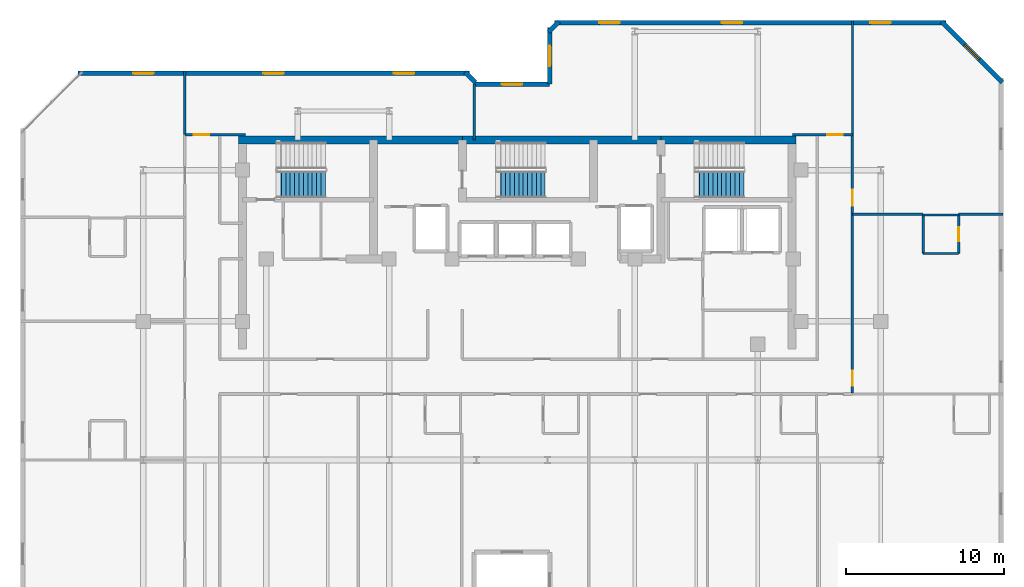
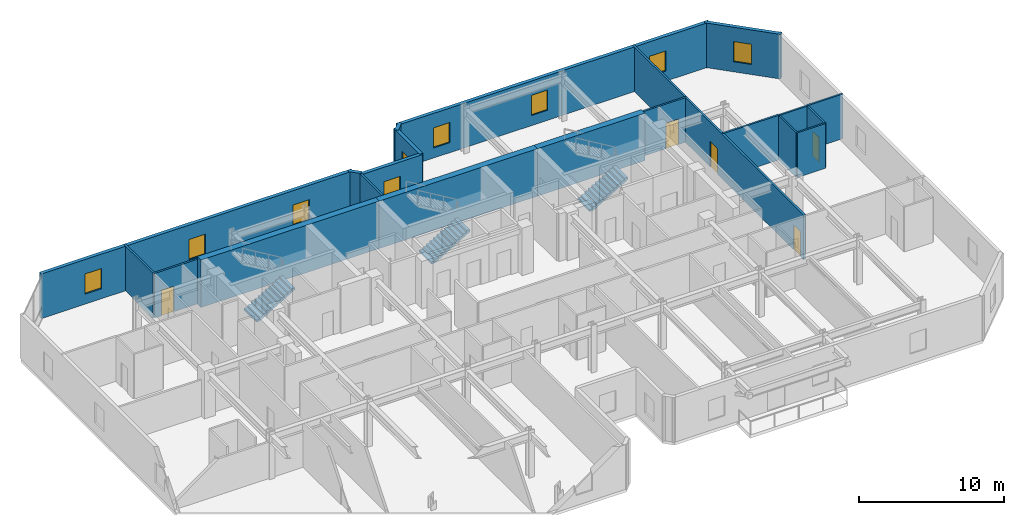
# One storey, part 7 of 11: 22 walls, 9 windows, 5 doors, 3 stair flights, 14 openings, 3 elements without a shape of their own.
"""IFC4 building model written with IfcOpenShell, lengths in metres."""

import ifcopenshell
import ifcopenshell.guid

model = None  # the IFC model being written
_history = None  # IfcOwnerHistory: only IFC2X3 demands one
_inside = {}  # id of a spatial element -> (the spatial element, [elements in it])
_under = {}  # id of a project, library or spatial element -> (it, [spatial elements below it])
_declared = {}  # id of a project -> (the project, [libraries it declares])
_typed = {}  # id of a type object -> (the type object, [elements of that type])
_made_of = {}  # id of a material, layer set ... -> (it, [elements and type objects made of it])


def new_model(schema):
    """Start an empty IFC model of exactly this schema.

    Asked for "IFC4X3", IfcOpenShell would pick the latest addendum, in which some entities
    have other attributes; the version numbers below select the first issue.
    IFC2X3 requires an IfcOwnerHistory on every rooted entity: one is made here for all.
    """
    global model, _history
    if schema == "IFC4X3":
        model = ifcopenshell.file(schema_version=(4, 3, 0, 0))
    else:
        model = ifcopenshell.file(schema=schema)
    _inside.clear()
    _under.clear()
    _declared.clear()
    _typed.clear()
    _made_of.clear()
    _history = None
    if model.schema == "IFC2X3":
        org = make("IfcOrganization", Name="unknown")
        user = make(
            "IfcPersonAndOrganization",
            ThePerson=make("IfcPerson", FamilyName="unknown"),
            TheOrganization=org,
        )
        app = make(
            "IfcApplication",
            ApplicationDeveloper=org,
            Version="unknown",
            ApplicationFullName="unknown",
            ApplicationIdentifier="unknown",
        )
        _history = make(
            "IfcOwnerHistory",
            OwningUser=user,
            OwningApplication=app,
            ChangeAction="ADDED",
            CreationDate=0,
        )
    return model


def make(cls, **values):
    """One entity of the class cls with the attributes given. An attribute that is None is left unset."""
    return model.create_entity(
        cls, **{name: value for name, value in values.items() if value is not None}
    )


def rooted(cls, **values):
    """An entity with a GlobalId (a new one), such as an element, a storey or a relation."""
    return make(cls, GlobalId=ifcopenshell.guid.new(), OwnerHistory=_history, **values)


def si_unit(unit_type, name, prefix=None):
    """IfcSIUnit, for example si_unit("LENGTHUNIT", "METRE", prefix="MILLI")."""
    return make("IfcSIUnit", UnitType=unit_type, Prefix=prefix, Name=name)


def assignment(units):
    """IfcUnitAssignment: the units of a project."""
    return None if units is None else make("IfcUnitAssignment", Units=units)


def point(xyz):
    """IfcCartesianPoint."""
    return None if xyz is None else make("IfcCartesianPoint", Coordinates=xyz)


def direction(xyz):
    """IfcDirection."""
    return None if xyz is None else make("IfcDirection", DirectionRatios=xyz)


def frame(location, z_axis=None, x_axis=None):
    """IfcAxis2Placement3D, a coordinate frame: its origin and axes. An axis left out is left unset."""
    return make(
        "IfcAxis2Placement3D",
        Location=point(location),
        Axis=direction(z_axis),
        RefDirection=direction(x_axis),
    )


def frame_2d(location, x_axis=None):
    """IfcAxis2Placement2D, a coordinate frame in the plane: its origin and x axis."""
    return make(
        "IfcAxis2Placement2D", Location=point(location), RefDirection=direction(x_axis)
    )


def origin():
    """The frame at (0, 0, 0) with its axes left unset."""
    return frame((0.0, 0.0, 0.0))


def place(relative_to, where):
    """IfcLocalPlacement: puts the frame where relative to a parent placement (None: the world)."""
    return make(
        "IfcLocalPlacement", PlacementRelTo=relative_to, RelativePlacement=where
    )


def context(
    kind, dimensions, precision=None, world=None, true_north=None, identifier=None
):
    """IfcGeometricRepresentationContext, for example the 3D "Model" context."""
    return make(
        "IfcGeometricRepresentationContext",
        ContextIdentifier=identifier,
        ContextType=kind,
        CoordinateSpaceDimension=dimensions,
        Precision=precision,
        WorldCoordinateSystem=world,
        TrueNorth=true_north,
    )


def subcontext(parent, identifier, kind, view, scale=None):
    """IfcGeometricRepresentationSubContext, for example "Body" below "Model"."""
    return make(
        "IfcGeometricRepresentationSubContext",
        ContextIdentifier=identifier,
        ContextType=kind,
        ParentContext=parent,
        TargetScale=scale,
        TargetView=view,
    )


def project(units=None, contexts=None):
    """IfcProject with its units and contexts."""
    return rooted(
        "IfcProject",
        Name="project",
        RepresentationContexts=contexts,
        UnitsInContext=assignment(units),
    )


def spatial(cls, under=None, at=None, **own):
    """A site, building, storey or space (cls), placed at a placement, below another one or the project."""
    s = rooted(cls, ObjectPlacement=at, **own)
    if under is not None:
        _under.setdefault(under.id(), (under, []))[1].append(s)
    return s


def polyline(points):
    """IfcPolyline through the points."""
    return make("IfcPolyline", Points=[point(p) for p in points])


def profile(cls, at=None, kind="AREA", **sizes):
    """A parametric profile (cls). Its sizes go by their IFC names, for example OverallWidth=200.0."""
    return make(cls, ProfileType=kind, Position=at, **sizes)


def rectangle(**sizes):
    """IfcRectangleProfileDef."""
    return profile("IfcRectangleProfileDef", **sizes)


def outline(outer, holes=None, kind="AREA"):
    """IfcArbitraryClosedProfileDef: a profile drawn as a closed curve; with holes, ...WithVoids."""
    if holes is None:
        return make("IfcArbitraryClosedProfileDef", ProfileType=kind, OuterCurve=outer)
    return make(
        "IfcArbitraryProfileDefWithVoids",
        ProfileType=kind,
        OuterCurve=outer,
        InnerCurves=holes,
    )


def extrude(swept, where, along, depth):
    """IfcExtrudedAreaSolid: the profile swept, set in the frame where, extruded along a direction by depth."""
    return make(
        "IfcExtrudedAreaSolid",
        SweptArea=swept,
        Position=where,
        ExtrudedDirection=direction(along),
        Depth=depth,
    )


def shape(context_of_items, identifier, shape_type, items):
    """IfcShapeRepresentation: the items that make up one representation, for example the "Body"."""
    return make(
        "IfcShapeRepresentation",
        ContextOfItems=context_of_items,
        RepresentationIdentifier=identifier,
        RepresentationType=shape_type,
        Items=items,
    )


def material(Name=None, Category=None):
    """IfcMaterial."""
    return make("IfcMaterial", Name=Name, Category=Category)


def layer(
    of_material, thickness, ventilated=None, Name=None, Category=None, Priority=None
):
    """IfcMaterialLayer: one layer of a wall or slab, of a material (None: an air gap)."""
    return make(
        "IfcMaterialLayer",
        Material=of_material,
        LayerThickness=thickness,
        IsVentilated=ventilated,
        Name=Name,
        Category=Category,
        Priority=Priority,
    )


def layer_set(layers, Name=None):
    """IfcMaterialLayerSet."""
    return make("IfcMaterialLayerSet", MaterialLayers=layers, LayerSetName=Name)


def made_of(thing, what):
    """Note that an element or type object is made of a material, layer set ...; save() writes the relation."""
    if what is not None:
        _made_of.setdefault(what.id(), (what, []))[1].append(thing)
    return thing


def type_object(cls, material=None, **own):
    """A type object (cls), such as IfcWallType, which elements share."""
    return made_of(rooted(cls, **own), material)


def element(
    cls,
    number,
    at=None,
    inside=None,
    cuts=None,
    type_object=None,
    material=None,
    context=None,
    identifier="Body",
    shape_type=None,
    held_by="IfcProductDefinitionShape",
    body=None,
    shapes=None,
    **own,
):
    """One element of the class cls, such as IfcWall. Its Tag is "e" and its number.

    at: its placement. inside: the storey or other place that contains it. cuts: it is an
    opening in that element (IfcRelVoidsElement). A single representation is given by context,
    identifier, shape_type and body (its items); several are given by shapes. held_by: the class
    of the entity that holds the representations. save() writes the other relations.
    """
    e = rooted(cls, Tag="e%d" % number, ObjectPlacement=at, **own)
    if body is not None:
        shapes = [shape(context, identifier, shape_type, body)]
    if shapes is not None:
        e.Representation = make(held_by, Representations=shapes)
    if inside is not None:
        _inside.setdefault(inside.id(), (inside, []))[1].append(e)
    if cuts is not None:
        rooted(
            "IfcRelVoidsElement", RelatingBuildingElement=cuts, RelatedOpeningElement=e
        )
    if type_object is not None:
        _typed.setdefault(type_object.id(), (type_object, []))[1].append(e)
    return made_of(e, material)


def fill(opening, filler):
    """IfcRelFillsElement: the door or window that sits in an opening."""
    return rooted(
        "IfcRelFillsElement",
        RelatingOpeningElement=opening,
        RelatedBuildingElement=filler,
    )


def aggregate(whole, parts):
    """IfcRelAggregates: a whole, such as a stair, and the parts it consists of."""
    return rooted("IfcRelAggregates", RelatingObject=whole, RelatedObjects=parts)


def save(model, path):
    """Write the relations noted so far, then the file.

    IfcRelAggregates (storeys below a building ...), IfcRelContainedInSpatialStructure (elements
    in a storey), IfcRelDefinesByType, IfcRelAssociatesMaterial and IfcRelDeclares: one each for
    every whole, place, type object, material and project.
    """
    for whole, parts in _under.values():
        aggregate(whole, parts)
    for where, things in _inside.values():
        rooted(
            "IfcRelContainedInSpatialStructure",
            RelatedElements=things,
            RelatingStructure=where,
        )
    for kind, things in _typed.values():
        rooted("IfcRelDefinesByType", RelatedObjects=things, RelatingType=kind)
    for what, things in _made_of.values():
        rooted("IfcRelAssociatesMaterial", RelatedObjects=things, RelatingMaterial=what)
    for by, libraries in _declared.values():
        rooted("IfcRelDeclares", RelatingContext=by, RelatedDefinitions=libraries)
    model.write(path)


model = new_model("IFC4")

# Units and contexts
model_context = context("Model", 3, precision=1e-05, world=origin(), true_north=direction((0.0, 1.0)))
body_context = subcontext(model_context, "Body", "Model", "MODEL_VIEW")
ifc_project = project(units=[si_unit("LENGTHUNIT", "METRE"), si_unit("AREAUNIT", "SQUARE_METRE"), si_unit("VOLUMEUNIT", "CUBIC_METRE"), si_unit("PLANEANGLEUNIT", "RADIAN"), si_unit("MASSUNIT", "GRAM", prefix="KILO")], contexts=[model_context])

# Site, building, storey
site_placement = place(None, origin())
site = spatial("IfcSite", under=ifc_project, at=site_placement, CompositionType="ELEMENT")
building_placement = place(site_placement, origin())
building = spatial("IfcBuilding", under=site, at=building_placement, Name="Kestravale Grand Hotel", CompositionType="ELEMENT")
storey_placement = place(building_placement, frame((0.0, 0.0, 265.39990234375)))
storey = spatial("IfcBuildingStorey", under=building, at=storey_placement, Name="L66", CompositionType="ELEMENT", Elevation=265.39990234375)

# Walls
ifc_material_1 = material(Name="Concrete f'c 50 MPa", Category="concrete")
ifc_layer_1 = layer(ifc_material_1, 0.5)
ifc_layer_set_1 = layer_set([ifc_layer_1], Name="EW-CORE-500")
wall_type_1 = type_object("IfcWallType", Name="EW-CORE-500", PredefinedType="SHEAR", material=ifc_layer_set_1)
wall_1_placement = place(storey_placement, frame((21.64990234375, 40.320068359375, 0.0), z_axis=(0.0, 0.0, 1.0), x_axis=(1.0, 0.0, 0.0)))
element("IfcWall", 1, at=wall_1_placement, inside=storey, type_object=wall_type_1, Name="L66 core shear wall N1", PredefinedType="SHEAR", context=body_context, shape_type="SweptSolid", body=[
    extrude(rectangle(XDim=14.2001953125, YDim=0.5, at=frame_2d((7.10009765625, 0.0))), origin(), (0.0, 0.0, 1.0), 4.0),
])
wall_2_placement = place(storey_placement, frame((35.85009765625, 40.320068359375, 0.0), z_axis=(0.0, 0.0, 1.0), x_axis=(1.0, 0.0, 0.0)))
element("IfcWall", 2, at=wall_2_placement, inside=storey, type_object=wall_type_1, Name="L66 core shear wall N2", PredefinedType="SHEAR", context=body_context, shape_type="SweptSolid", body=[
    extrude(rectangle(XDim=12.599853515625, YDim=0.5, at=frame_2d((6.2998046875, 0.0))), origin(), (0.0, 0.0, 1.0), 4.0),
])
wall_3_placement = place(storey_placement, frame((48.449951171875, 40.320068359375, 0.0), z_axis=(0.0, 0.0, 1.0), x_axis=(1.0, 0.0, 0.0)))
element("IfcWall", 3, at=wall_3_placement, inside=storey, type_object=wall_type_1, Name="L66 core shear wall N3", PredefinedType="SHEAR", context=body_context, shape_type="SweptSolid", body=[
    extrude(rectangle(XDim=8.570068359375, YDim=0.5, at=frame_2d((4.28515625, 0.0))), origin(), (0.0, 0.0, 1.0), 4.0),
])

# Wall, opening, window
ifc_material_2 = material(Name="Precast concrete f'c 45 MPa", Category="concrete")
ifc_layer_2 = layer(ifc_material_2, 0.280029296875)
ifc_layer_set_2 = layer_set([ifc_layer_2], Name="EW-PREC-280")
wall_type_2 = type_object("IfcWallType", Name="EW-PREC-280", PredefinedType="SOLIDWALL", material=ifc_layer_set_2)
wall_4_placement = place(storey_placement, frame((70.12939453125, 43.97265625, 0.0), z_axis=(0.0, 0.0, 1.0), x_axis=(-0.707106781187, 0.707106781187, 0.0)))
wall_4 = element("IfcWall", 4, at=wall_4_placement, inside=storey, type_object=wall_type_2, Name="L66 fluted precast facade wall 10", PredefinedType="SOLIDWALL", context=body_context, shape_type="SweptSolid", body=[
    extrude(rectangle(XDim=5.4541015625, YDim=0.280029296875, at=frame_2d((2.72705078125, 0.0))), origin(), (0.0, 0.0, 1.0), 3.760009765625),
])
opening_1_placement = place(wall_4_placement, frame((2.076904296875, 0.0, 0.85009765625)))
opening_1 = element("IfcOpeningElement", 5, at=opening_1_placement, cuts=wall_4, Name="Opening W-GUEST-1300", PredefinedType="OPENING", context=body_context, shape_type="SweptSolid", body=[
    extrude(rectangle(XDim=1.300048828125, YDim=1.699951171875, at=frame_2d((0.64990234375, 0.85009765625))), frame((0.0, 0.14990234375, 0.0), z_axis=(0.0, -1.0, 0.0), x_axis=(1.0, 0.0, 0.0)), (0.0, 0.0, 1.0), 0.300048828125),
])
ifc_material_3 = material(Name="Insulated low-E double glazing in aluminium frame", Category="aluminium")
window_type = type_object("IfcWindowType", Name="W-GUEST-1300", PartitioningType="SINGLE_PANEL", PredefinedType="WINDOW", material=ifc_material_3)
window_1_placement = place(opening_1_placement, origin())
window_1 = element("IfcWindow", 6, at=window_1_placement, inside=storey, type_object=window_type, Name="L66 exterior window 10.1", OverallHeight=1.699951171875, OverallWidth=1.300048828125, PartitioningType="SINGLE_PANEL", PredefinedType="WINDOW", context=body_context, shape_type="SweptSolid", body=[
    extrude(rectangle(XDim=1.300048828125, YDim=1.699951171875, at=frame_2d((0.64990234375, 0.85009765625))), frame((0.0, 0.030029296875, 0.0), z_axis=(0.0, -1.0, 0.0), x_axis=(1.0, 0.0, 0.0)), (0.0, 0.0, 1.0), 0.06005859375),
])
fill(opening_1, window_1)

# Wall, openings, windows
wall_5_placement = place(storey_placement, frame((66.5400390625, 47.760009765625, 0.0), z_axis=(0.0, 0.0, 1.0), x_axis=(-1.0, 0.0, 0.0)))
wall_5 = element("IfcWall", 7, at=wall_5_placement, inside=storey, type_object=wall_type_2, Name="L66 fluted precast facade wall 11", PredefinedType="SOLIDWALL", context=body_context, shape_type="SweptSolid", body=[
    extrude(rectangle(XDim=24.830078125, YDim=0.280029296875, at=frame_2d((12.4150390625, 0.0))), origin(), (0.0, 0.0, 1.0), 3.760009765625),
])
opening_2_placement = place(wall_5_placement, frame((3.48828125, 0.0, 0.85009765625)))
opening_2 = element("IfcOpeningElement", 8, at=opening_2_placement, cuts=wall_5, Name="Opening W-GUEST-1300", PredefinedType="OPENING", context=body_context, shape_type="SweptSolid", body=[
    extrude(rectangle(XDim=1.300048828125, YDim=1.699951171875, at=frame_2d((0.64990234375, 0.85009765625))), frame((0.0, 0.14990234375, 0.0), z_axis=(0.0, -1.0, 0.0), x_axis=(1.0, 0.0, 0.0)), (0.0, 0.0, 1.0), 0.300048828125),
])
opening_3_placement = place(wall_5_placement, frame((12.9150390625, 0.0, 0.85009765625)))
opening_3 = element("IfcOpeningElement", 9, at=opening_3_placement, cuts=wall_5, Name="Opening W-GUEST-1300", PredefinedType="OPENING", context=body_context, shape_type="SweptSolid", body=[
    extrude(rectangle(XDim=1.300048828125, YDim=1.699951171875, at=frame_2d((0.64990234375, 0.85009765625))), frame((0.0, 0.14990234375, 0.0), z_axis=(0.0, -1.0, 0.0), x_axis=(1.0, 0.0, 0.0)), (0.0, 0.0, 1.0), 0.300048828125),
])
opening_4_placement = place(wall_5_placement, frame((20.691650390625, 0.0, 0.85009765625)))
opening_4 = element("IfcOpeningElement", 10, at=opening_4_placement, cuts=wall_5, Name="Opening W-GUEST-1300", PredefinedType="OPENING", context=body_context, shape_type="SweptSolid", body=[
    extrude(rectangle(XDim=1.300048828125, YDim=1.699951171875, at=frame_2d((0.64990234375, 0.85009765625))), frame((0.0, 0.14990234375, 0.0), z_axis=(0.0, -1.0, 0.0), x_axis=(1.0, 0.0, 0.0)), (0.0, 0.0, 1.0), 0.300048828125),
])
window_2_placement = place(opening_2_placement, origin())
window_2 = element("IfcWindow", 11, at=window_2_placement, inside=storey, type_object=window_type, Name="L66 exterior window 11.1", OverallHeight=1.699951171875, OverallWidth=1.300048828125, PartitioningType="SINGLE_PANEL", PredefinedType="WINDOW", context=body_context, shape_type="SweptSolid", body=[
    extrude(rectangle(XDim=1.300048828125, YDim=1.699951171875, at=frame_2d((0.64990234375, 0.85009765625))), frame((0.0, 0.030029296875, 0.0), z_axis=(0.0, -1.0, 0.0), x_axis=(1.0, 0.0, 0.0)), (0.0, 0.0, 1.0), 0.06005859375),
])
fill(opening_2, window_2)
window_3_placement = place(opening_3_placement, origin())
window_3 = element("IfcWindow", 12, at=window_3_placement, inside=storey, type_object=window_type, Name="L66 exterior window 11.2", OverallHeight=1.699951171875, OverallWidth=1.300048828125, PartitioningType="SINGLE_PANEL", PredefinedType="WINDOW", context=body_context, shape_type="SweptSolid", body=[
    extrude(rectangle(XDim=1.300048828125, YDim=1.699951171875, at=frame_2d((0.64990234375, 0.85009765625))), frame((0.0, 0.030029296875, 0.0), z_axis=(0.0, -1.0, 0.0), x_axis=(1.0, 0.0, 0.0)), (0.0, 0.0, 1.0), 0.06005859375),
])
fill(opening_3, window_3)
window_4_placement = place(opening_4_placement, origin())
window_4 = element("IfcWindow", 13, at=window_4_placement, inside=storey, type_object=window_type, Name="L66 exterior window 11.3", OverallHeight=1.699951171875, OverallWidth=1.300048828125, PartitioningType="SINGLE_PANEL", PredefinedType="WINDOW", context=body_context, shape_type="SweptSolid", body=[
    extrude(rectangle(XDim=1.300048828125, YDim=1.699951171875, at=frame_2d((0.64990234375, 0.85009765625))), frame((0.0, 0.030029296875, 0.0), z_axis=(0.0, -1.0, 0.0), x_axis=(1.0, 0.0, 0.0)), (0.0, 0.0, 1.0), 0.06005859375),
])
fill(opening_4, window_4)

# Wall
wall_6_placement = place(storey_placement, frame((41.977294921875, 47.829345703125, 0.0), z_axis=(0.0, 0.0, 1.0), x_axis=(-0.706975312048, -0.707238225886, 0.0)))
element("IfcWall", 14, at=wall_6_placement, inside=storey, type_object=wall_type_2, Name="L66 fluted precast facade wall 12", PredefinedType="SOLIDWALL", context=body_context, shape_type="SweptSolid", body=[
    extrude(rectangle(XDim=0.9287109375, YDim=0.280029296875, at=frame_2d((0.46435546875, 0.0))), origin(), (0.0, 0.0, 1.0), 3.760009765625),
])

# Wall, opening, window
wall_7_placement = place(storey_placement, frame((41.389892578125, 47.43994140625, 0.0), z_axis=(0.0, 0.0, 1.0), x_axis=(0.0, -1.0, 0.0)))
wall_7 = element("IfcWall", 15, at=wall_7_placement, inside=storey, type_object=wall_type_2, Name="L66 fluted precast facade wall 13", PredefinedType="SOLIDWALL", context=body_context, shape_type="SweptSolid", body=[
    extrude(rectangle(XDim=3.579833984375, YDim=0.280029296875, at=frame_2d((1.7900390625, 0.0))), origin(), (0.0, 0.0, 1.0), 3.760009765625),
])
opening_5_placement = place(wall_7_placement, frame((1.139892578125, 0.0, 0.85009765625)))
opening_5 = element("IfcOpeningElement", 16, at=opening_5_placement, cuts=wall_7, Name="Opening W-GUEST-1300", PredefinedType="OPENING", context=body_context, shape_type="SweptSolid", body=[
    extrude(rectangle(XDim=1.300048828125, YDim=1.699951171875, at=frame_2d((0.64990234375, 0.85009765625))), frame((0.0, 0.14990234375, 0.0), z_axis=(0.0, -1.0, 0.0), x_axis=(1.0, 0.0, 0.0)), (0.0, 0.0, 1.0), 0.300048828125),
])
window_5_placement = place(opening_5_placement, origin())
window_5 = element("IfcWindow", 17, at=window_5_placement, inside=storey, type_object=window_type, Name="L66 exterior window 13.1", OverallHeight=1.699951171875, OverallWidth=1.300048828125, PartitioningType="SINGLE_PANEL", PredefinedType="WINDOW", context=body_context, shape_type="SweptSolid", body=[
    extrude(rectangle(XDim=1.300048828125, YDim=1.699951171875, at=frame_2d((0.64990234375, 0.85009765625))), frame((0.0, 0.030029296875, 0.0), z_axis=(0.0, -1.0, 0.0), x_axis=(1.0, 0.0, 0.0)), (0.0, 0.0, 1.0), 0.06005859375),
])
fill(opening_5, window_5)

wall_8_placement = place(storey_placement, frame((41.389892578125, 43.860107421875, 0.0), z_axis=(0.0, 0.0, 1.0), x_axis=(-1.0, 0.0, 0.0)))
wall_8 = element("IfcWall", 18, at=wall_8_placement, inside=storey, type_object=wall_type_2, Name="L66 fluted precast facade wall 14", PredefinedType="SOLIDWALL", context=body_context, shape_type="SweptSolid", body=[
    extrude(rectangle(XDim=4.77978515625, YDim=0.280029296875, at=frame_2d((2.389892578125, 0.0))), origin(), (0.0, 0.0, 1.0), 3.760009765625),
])
opening_6_placement = place(wall_8_placement, frame((1.739990234375, 0.0, 0.85009765625)))
opening_6 = element("IfcOpeningElement", 19, at=opening_6_placement, cuts=wall_8, Name="Opening W-GUEST-1300", PredefinedType="OPENING", context=body_context, shape_type="SweptSolid", body=[
    extrude(rectangle(XDim=1.300048828125, YDim=1.699951171875, at=frame_2d((0.64990234375, 0.85009765625))), frame((0.0, 0.14990234375, 0.0), z_axis=(0.0, -1.0, 0.0), x_axis=(1.0, 0.0, 0.0)), (0.0, 0.0, 1.0), 0.300048828125),
])
window_6_placement = place(opening_6_placement, origin())
window_6 = element("IfcWindow", 20, at=window_6_placement, inside=storey, type_object=window_type, Name="L66 exterior window 14.1", OverallHeight=1.699951171875, OverallWidth=1.300048828125, PartitioningType="SINGLE_PANEL", PredefinedType="WINDOW", context=body_context, shape_type="SweptSolid", body=[
    extrude(rectangle(XDim=1.300048828125, YDim=1.699951171875, at=frame_2d((0.64990234375, 0.85009765625))), frame((0.0, 0.030029296875, 0.0), z_axis=(0.0, -1.0, 0.0), x_axis=(1.0, 0.0, 0.0)), (0.0, 0.0, 1.0), 0.06005859375),
])
fill(opening_6, window_6)

# Wall
wall_9_placement = place(storey_placement, frame((36.67919921875, 43.97265625, 0.0), z_axis=(0.0, 0.0, 1.0), x_axis=(-0.706975312048, 0.707238225886, 0.0)))
element("IfcWall", 21, at=wall_9_placement, inside=storey, type_object=wall_type_2, Name="L66 fluted precast facade wall 16", PredefinedType="SOLIDWALL", context=body_context, shape_type="SweptSolid", body=[
    extrude(rectangle(XDim=0.9287109375, YDim=0.280029296875, at=frame_2d((0.46435546875, 0.0))), origin(), (0.0, 0.0, 1.0), 3.760009765625),
])

# Wall, openings, windows
wall_10_placement = place(storey_placement, frame((36.2900390625, 44.56005859375, 0.0), z_axis=(0.0, 0.0, 1.0), x_axis=(-1.0, 0.0, 0.0)))
wall_10 = element("IfcWall", 22, at=wall_10_placement, inside=storey, type_object=wall_type_2, Name="L66 fluted precast facade wall 17", PredefinedType="SOLIDWALL", context=body_context, shape_type="SweptSolid", body=[
    extrude(rectangle(XDim=24.830078125, YDim=0.280029296875, at=frame_2d((12.4150390625, 0.0))), origin(), (0.0, 0.0, 1.0), 3.760009765625),
])
opening_7_placement = place(wall_10_placement, frame((3.48828125, 0.0, 0.85009765625)))
opening_7 = element("IfcOpeningElement", 23, at=opening_7_placement, cuts=wall_10, Name="Opening W-GUEST-1300", PredefinedType="OPENING", context=body_context, shape_type="SweptSolid", body=[
    extrude(rectangle(XDim=1.300048828125, YDim=1.699951171875, at=frame_2d((0.64990234375, 0.85009765625))), frame((0.0, 0.14990234375, 0.0), z_axis=(0.0, -1.0, 0.0), x_axis=(1.0, 0.0, 0.0)), (0.0, 0.0, 1.0), 0.300048828125),
])
opening_8_placement = place(wall_10_placement, frame((11.764892578125, 0.0, 0.85009765625)))
opening_8 = element("IfcOpeningElement", 24, at=opening_8_placement, cuts=wall_10, Name="Opening W-GUEST-1300", PredefinedType="OPENING", context=body_context, shape_type="SweptSolid", body=[
    extrude(rectangle(XDim=1.300048828125, YDim=1.699951171875, at=frame_2d((0.64990234375, 0.85009765625))), frame((0.0, 0.14990234375, 0.0), z_axis=(0.0, -1.0, 0.0), x_axis=(1.0, 0.0, 0.0)), (0.0, 0.0, 1.0), 0.300048828125),
])
opening_9_placement = place(wall_10_placement, frame((20.041748046875, 0.0, 0.85009765625)))
opening_9 = element("IfcOpeningElement", 25, at=opening_9_placement, cuts=wall_10, Name="Opening W-GUEST-1300", PredefinedType="OPENING", context=body_context, shape_type="SweptSolid", body=[
    extrude(rectangle(XDim=1.300048828125, YDim=1.699951171875, at=frame_2d((0.64990234375, 0.85009765625))), frame((0.0, 0.14990234375, 0.0), z_axis=(0.0, -1.0, 0.0), x_axis=(1.0, 0.0, 0.0)), (0.0, 0.0, 1.0), 0.300048828125),
])
window_7_placement = place(opening_7_placement, origin())
window_7 = element("IfcWindow", 26, at=window_7_placement, inside=storey, type_object=window_type, Name="L66 exterior window 17.1", OverallHeight=1.699951171875, OverallWidth=1.300048828125, PartitioningType="SINGLE_PANEL", PredefinedType="WINDOW", context=body_context, shape_type="SweptSolid", body=[
    extrude(rectangle(XDim=1.300048828125, YDim=1.699951171875, at=frame_2d((0.64990234375, 0.85009765625))), frame((0.0, 0.030029296875, 0.0), z_axis=(0.0, -1.0, 0.0), x_axis=(1.0, 0.0, 0.0)), (0.0, 0.0, 1.0), 0.06005859375),
])
fill(opening_7, window_7)
window_8_placement = place(opening_8_placement, origin())
window_8 = element("IfcWindow", 27, at=window_8_placement, inside=storey, type_object=window_type, Name="L66 exterior window 17.2", OverallHeight=1.699951171875, OverallWidth=1.300048828125, PartitioningType="SINGLE_PANEL", PredefinedType="WINDOW", context=body_context, shape_type="SweptSolid", body=[
    extrude(rectangle(XDim=1.300048828125, YDim=1.699951171875, at=frame_2d((0.64990234375, 0.85009765625))), frame((0.0, 0.030029296875, 0.0), z_axis=(0.0, -1.0, 0.0), x_axis=(1.0, 0.0, 0.0)), (0.0, 0.0, 1.0), 0.06005859375),
])
fill(opening_8, window_8)
window_9_placement = place(opening_9_placement, origin())
window_9 = element("IfcWindow", 28, at=window_9_placement, inside=storey, type_object=window_type, Name="L66 exterior window 17.3", OverallHeight=1.699951171875, OverallWidth=1.300048828125, PartitioningType="SINGLE_PANEL", PredefinedType="WINDOW", context=body_context, shape_type="SweptSolid", body=[
    extrude(rectangle(XDim=1.300048828125, YDim=1.699951171875, at=frame_2d((0.64990234375, 0.85009765625))), frame((0.0, 0.030029296875, 0.0), z_axis=(0.0, -1.0, 0.0), x_axis=(1.0, 0.0, 0.0)), (0.0, 0.0, 1.0), 0.06005859375),
])
fill(opening_9, window_9)

# Wall, openings, doors
ifc_material_4 = material(Name="Acoustic fire-rated gypsum board partition", Category="other")
ifc_layer_3 = layer(ifc_material_4, 0.159912109375)
ifc_layer_set_3 = layer_set([ifc_layer_3], Name="IW-CORR-160")
wall_type_3 = type_object("IfcWallType", Name="IW-CORR-160", PredefinedType="PARTITIONING", material=ifc_layer_set_3)
wall_11_placement = place(storey_placement, frame((60.610107421875, 24.25, 0.0), z_axis=(0.0, 0.0, 1.0), x_axis=(0.0, 1.0, 0.0)))
wall_11 = element("IfcWall", 29, at=wall_11_placement, inside=storey, type_object=wall_type_3, Name="W-L66-SE-E", PredefinedType="PARTITIONING", context=body_context, shape_type="SweptSolid", body=[
    extrude(rectangle(XDim=16.39990234375, YDim=0.159912109375, at=frame_2d((8.199951171875, 0.0))), origin(), (0.0, 0.0, 1.0), 3.760009765625),
])
opening_10_placement = place(wall_11_placement, frame((0.4599609375, 0.0, 0.0)))
opening_10 = element("IfcOpeningElement", 30, at=opening_10_placement, cuts=wall_11, Name="Opening D-GUEST-950", PredefinedType="OPENING", context=body_context, shape_type="SweptSolid", body=[
    extrude(rectangle(XDim=0.949951171875, YDim=2.10009765625, at=frame_2d((0.47509765625, 1.050048828125))), frame((0.0, 0.08984375, 0.0), z_axis=(0.0, -1.0, 0.0), x_axis=(1.0, 0.0, 0.0)), (0.0, 0.0, 1.0), 0.179931640625),
])
opening_11_placement = place(wall_11_placement, frame((11.89990234375, 0.0, 0.0)))
opening_11 = element("IfcOpeningElement", 31, at=opening_11_placement, cuts=wall_11, Name="Opening D-GUEST-1000", PredefinedType="OPENING", context=body_context, shape_type="SweptSolid", body=[
    extrude(rectangle(XDim=1.0, YDim=2.14990234375, at=frame_2d((0.5, 1.074951171875))), frame((0.0, 0.08984375, 0.0), z_axis=(0.0, -1.0, 0.0), x_axis=(1.0, 0.0, 0.0)), (0.0, 0.0, 1.0), 0.179931640625),
])
ifc_material_5 = material(Name="Accessible walnut veneer hotel entrance fire door", Category="wood")
door_type_1 = type_object("IfcDoorType", Name="D-GUEST-1000", OperationType="NOTDEFINED", PredefinedType="DOOR", material=ifc_material_5)
door_1_placement = place(opening_11_placement, origin())
door_1 = element("IfcDoor", 32, at=door_1_placement, inside=storey, type_object=door_type_1, Name="D-L66-AMEW", OperationType="SINGLE_SWING_LEFT", OverallHeight=2.14990234375, OverallWidth=1.0, PredefinedType="DOOR", context=body_context, shape_type="SweptSolid", body=[
    extrude(rectangle(XDim=1.0, YDim=2.14990234375, at=frame_2d((0.5, 1.074951171875))), frame((0.0, 0.02490234375, 0.0), z_axis=(0.0, -1.0, 0.0), x_axis=(1.0, 0.0, 0.0)), (0.0, 0.0, 1.0), 0.050048828125),
])
fill(opening_11, door_1)
ifc_material_6 = material(Name="Walnut veneer hotel guestroom entrance fire door", Category="wood")
door_type_2 = type_object("IfcDoorType", Name="D-GUEST-950", OperationType="NOTDEFINED", PredefinedType="DOOR", material=ifc_material_6)
door_2_placement = place(opening_10_placement, origin())
door_2 = element("IfcDoor", 33, at=door_2_placement, inside=storey, type_object=door_type_2, Name="D-L66-U08-ENT", OperationType="SINGLE_SWING_RIGHT", OverallHeight=2.10009765625, OverallWidth=0.949951171875, PredefinedType="DOOR", context=body_context, shape_type="SweptSolid", body=[
    extrude(rectangle(XDim=0.949951171875, YDim=2.10009765625, at=frame_2d((0.47509765625, 1.050048828125))), frame((0.0, 0.02490234375, 0.0), z_axis=(0.0, -1.0, 0.0), x_axis=(1.0, 0.0, 0.0)), (0.0, 0.0, 1.0), 0.050048828125),
])
fill(opening_10, door_2)

# Wall
ifc_material_7 = material(Name="Moisture-resistant tile-backer plumbing chase wall", Category="other")
ifc_layer_4 = layer(ifc_material_7, 0.139892578125)
ifc_layer_set_4 = layer_set([ifc_layer_4], Name="IW-PLB-140")
wall_type_4 = type_object("IfcWallType", Name="IW-PLB-140", PredefinedType="PLUMBINGWALL", material=ifc_layer_set_4)
wall_12_placement = place(storey_placement, frame((65.10009765625, 33.110107421875, 0.0), z_axis=(0.0, 0.0, 1.0), x_axis=(0.0, 1.0, 0.0)))
element("IfcWall", 34, at=wall_12_placement, inside=storey, type_object=wall_type_4, Name="W-L66-U08-BW", PredefinedType="PLUMBINGWALL", context=body_context, shape_type="SweptSolid", body=[
    extrude(rectangle(XDim=2.449951171875, YDim=0.139892578125, at=frame_2d((1.22509765625, 0.0))), origin(), (0.0, 0.0, 1.0), 3.760009765625),
])

# Wall, opening, door
wall_13_placement = place(storey_placement, frame((67.35009765625, 33.110107421875, 0.0), z_axis=(0.0, 0.0, 1.0), x_axis=(0.0, 1.0, 0.0)))
wall_13 = element("IfcWall", 35, at=wall_13_placement, inside=storey, type_object=wall_type_4, Name="W-L66-U08-BE", PredefinedType="PLUMBINGWALL", context=body_context, shape_type="SweptSolid", body=[
    extrude(rectangle(XDim=2.449951171875, YDim=0.139892578125, at=frame_2d((1.22509765625, 0.0))), origin(), (0.0, 0.0, 1.0), 3.760009765625),
])
opening_12_placement = place(wall_13_placement, frame((0.784912109375, 0.0, 0.0)))
opening_12 = element("IfcOpeningElement", 36, at=opening_12_placement, cuts=wall_13, Name="Opening D-BATH-880", PredefinedType="OPENING", context=body_context, shape_type="SweptSolid", body=[
    extrude(rectangle(XDim=0.8798828125, YDim=2.050048828125, at=frame_2d((0.43994140625, 1.02490234375))), frame((0.0, 0.079833984375, 0.0), z_axis=(0.0, -1.0, 0.0), x_axis=(1.0, 0.0, 0.0)), (0.0, 0.0, 1.0), 0.159912109375),
])
ifc_material_8 = material(Name="Moisture-sealed walnut en-suite bathroom door", Category="wood")
door_type_3 = type_object("IfcDoorType", Name="D-BATH-880", OperationType="NOTDEFINED", PredefinedType="DOOR", material=ifc_material_8)
door_3_placement = place(opening_12_placement, origin())
door_3 = element("IfcDoor", 37, at=door_3_placement, inside=storey, type_object=door_type_3, Name="D-L66-U08-BATH", OperationType="SINGLE_SWING_LEFT", OverallHeight=2.050048828125, OverallWidth=0.8798828125, PredefinedType="DOOR", context=body_context, shape_type="SweptSolid", body=[
    extrude(rectangle(XDim=0.8798828125, YDim=2.050048828125, at=frame_2d((0.43994140625, 1.02490234375))), frame((0.0, 0.02490234375, 0.0), z_axis=(0.0, -1.0, 0.0), x_axis=(1.0, 0.0, 0.0)), (0.0, 0.0, 1.0), 0.050048828125),
])
fill(opening_12, door_3)

# Walls
for number, where, z_axis, x_axis, name in (
    (38, (65.10009765625, 33.110107421875, 0.0), (0.0, 0.0, 1.0), (1.0, 0.0, 0.0), "W-L66-U08-BS"),
    (39, (65.10009765625, 35.56005859375, 0.0), (0.0, 0.0, 1.0), (1.0, 0.0, 0.0), "W-L66-U08-BN"),
):
    element("IfcWall", number, at=place(storey_placement, frame(where, z_axis=z_axis, x_axis=x_axis)), inside=storey, type_object=wall_type_4, Name=name, PredefinedType="PLUMBINGWALL", context=body_context, shape_type="SweptSolid", body=[
        extrude(rectangle(XDim=2.25, YDim=0.139892578125, at=frame_2d((1.125, 0.0))), origin(), (0.0, 0.0, 1.0), 3.760009765625),
    ])

# Wall, opening, door
ifc_material_9 = material(Name="Double-stud STC 52 acoustic demising partition", Category="other")
ifc_layer_5 = layer(ifc_material_9, 0.14990234375)
ifc_layer_set_5 = layer_set([ifc_layer_5], Name="IW-UNIT-150")
wall_type_5 = type_object("IfcWallType", Name="IW-UNIT-150", PredefinedType="PARTITIONING", material=ifc_layer_set_5)
wall_14_placement = place(storey_placement, frame((18.239990234375, 40.64990234375, 0.0), z_axis=(0.0, 0.0, 1.0), x_axis=(1.0, 0.0, 0.0)))
wall_14 = element("IfcWall", 40, at=wall_14_placement, inside=storey, type_object=wall_type_5, Name="W-L66-SW-N", PredefinedType="PARTITIONING", context=body_context, shape_type="SweptSolid", body=[
    extrude(rectangle(XDim=3.860107421875, YDim=0.14990234375, at=frame_2d((1.93017578125, 0.0))), origin(), (0.0, 0.0, 1.0), 3.760009765625),
])
opening_13_placement = place(wall_14_placement, frame((0.550048828125, 0.0, 0.0)))
opening_13 = element("IfcOpeningElement", 41, at=opening_13_placement, cuts=wall_14, Name="Opening D-GUEST-1000", PredefinedType="OPENING", context=body_context, shape_type="SweptSolid", body=[
    extrude(rectangle(XDim=1.0, YDim=2.14990234375, at=frame_2d((0.5, 1.074951171875))), frame((0.0, 0.0849609375, 0.0), z_axis=(0.0, -1.0, 0.0), x_axis=(1.0, 0.0, 0.0)), (0.0, 0.0, 1.0), 0.169921875),
])
door_4_placement = place(opening_13_placement, origin())
door_4 = element("IfcDoor", 42, at=door_4_placement, inside=storey, type_object=door_type_1, Name="L66 NW Gallery Door", OperationType="SINGLE_SWING_RIGHT", OverallHeight=2.14990234375, OverallWidth=1.0, PredefinedType="DOOR", context=body_context, shape_type="SweptSolid", body=[
    extrude(rectangle(XDim=1.0, YDim=2.14990234375, at=frame_2d((0.5, 1.074951171875))), frame((0.0, 0.02490234375, 0.0), z_axis=(0.0, -1.0, 0.0), x_axis=(1.0, 0.0, 0.0)), (0.0, 0.0, 1.0), 0.050048828125),
])
fill(opening_13, door_4)

wall_15_placement = place(storey_placement, frame((56.800048828125, 40.64990234375, 0.0), z_axis=(0.0, 0.0, 1.0), x_axis=(1.0, 0.0, 0.0)))
wall_15 = element("IfcWall", 43, at=wall_15_placement, inside=storey, type_object=wall_type_5, Name="W-L66-SE-N", PredefinedType="PARTITIONING", context=body_context, shape_type="SweptSolid", body=[
    extrude(rectangle(XDim=3.81005859375, YDim=0.14990234375, at=frame_2d((1.905029296875, 0.0))), origin(), (0.0, 0.0, 1.0), 3.760009765625),
])
opening_14_placement = place(wall_15_placement, frame((2.199951171875, 0.0, 0.0)))
opening_14 = element("IfcOpeningElement", 44, at=opening_14_placement, cuts=wall_15, Name="Opening D-GUEST-1000", PredefinedType="OPENING", context=body_context, shape_type="SweptSolid", body=[
    extrude(rectangle(XDim=1.0, YDim=2.14990234375, at=frame_2d((0.5, 1.074951171875))), frame((0.0, 0.0849609375, 0.0), z_axis=(0.0, -1.0, 0.0), x_axis=(1.0, 0.0, 0.0)), (0.0, 0.0, 1.0), 0.169921875),
])
door_5_placement = place(opening_14_placement, origin())
door_5 = element("IfcDoor", 45, at=door_5_placement, inside=storey, type_object=door_type_1, Name="L66 NE Gallery Door", OperationType="SINGLE_SWING_LEFT", OverallHeight=2.14990234375, OverallWidth=1.0, PredefinedType="DOOR", context=body_context, shape_type="SweptSolid", body=[
    extrude(rectangle(XDim=1.0, YDim=2.14990234375, at=frame_2d((0.5, 1.074951171875))), frame((0.0, 0.02490234375, 0.0), z_axis=(0.0, -1.0, 0.0), x_axis=(1.0, 0.0, 0.0)), (0.0, 0.0, 1.0), 0.050048828125),
])
fill(opening_14, door_5)

# Walls
wall_16_placement = place(storey_placement, frame((18.239990234375, 40.64990234375, 0.0), z_axis=(0.0, 0.0, 1.0), x_axis=(0.0, 1.0, 0.0)))
element("IfcWall", 46, at=wall_16_placement, inside=storey, type_object=wall_type_5, Name="W-L66-NGW-W", PredefinedType="PARTITIONING", context=body_context, shape_type="SweptSolid", body=[
    extrude(rectangle(XDim=4.030029296875, YDim=0.14990234375, at=frame_2d((2.01513671875, 0.0))), origin(), (0.0, 0.0, 1.0), 3.760009765625),
])
wall_17_placement = place(storey_placement, frame((36.60009765625, 40.320068359375, 0.0), z_axis=(0.0, 0.0, 1.0), x_axis=(0.0, 1.0, 0.0)))
element("IfcWall", 47, at=wall_17_placement, inside=storey, type_object=wall_type_5, Name="W-L66-NGM", PredefinedType="PARTITIONING", context=body_context, shape_type="SweptSolid", body=[
    extrude(rectangle(XDim=3.544921875, YDim=0.14990234375, at=frame_2d((1.7724609375, 0.0))), origin(), (0.0, 0.0, 1.0), 3.760009765625),
])
wall_18_placement = place(storey_placement, frame((60.610107421875, 40.64990234375, 0.0), z_axis=(0.0, 0.0, 1.0), x_axis=(0.0, 1.0, 0.0)))
element("IfcWall", 48, at=wall_18_placement, inside=storey, type_object=wall_type_5, Name="W-L66-NGE-E", PredefinedType="PARTITIONING", context=body_context, shape_type="SweptSolid", body=[
    extrude(rectangle(XDim=7.22998046875, YDim=0.14990234375, at=frame_2d((3.614990234375, 0.0))), origin(), (0.0, 0.0, 1.0), 3.760009765625),
])
wall_19_placement = place(storey_placement, frame((60.610107421875, 35.60009765625, 0.0), z_axis=(0.0, 0.0, 1.0), x_axis=(1.0, 0.0, 0.0)))
element("IfcWall", 49, at=wall_19_placement, inside=storey, type_object=wall_type_5, Name="W-L66-EW-1", PredefinedType="PARTITIONING", context=body_context, shape_type="SweptSolid", body=[
    extrude(rectangle(XDim=4.489990234375, YDim=0.14990234375, at=frame_2d((2.2451171875, 0.0))), origin(), (0.0, 0.0, 1.0), 3.760009765625),
])
wall_20_placement = place(storey_placement, frame((67.35009765625, 35.60009765625, 0.0), z_axis=(0.0, 0.0, 1.0), x_axis=(1.0, 0.0, 0.0)))
element("IfcWall", 50, at=wall_20_placement, inside=storey, type_object=wall_type_5, Name="W-L66-EW-1", PredefinedType="PARTITIONING", context=body_context, shape_type="SweptSolid", body=[
    extrude(rectangle(XDim=2.829833984375, YDim=0.14990234375, at=frame_2d((1.4150390625, 0.0))), origin(), (0.0, 0.0, 1.0), 3.760009765625),
])

# Stair, stair flight
ifc_material_10 = material(Name="Concrete f'c 45 MPa", Category="concrete")
stair_type = type_object("IfcStairType", Name="ST-CORE-400", PredefinedType="HALF_TURN_STAIR", material=ifc_material_10)
stair_1_placement = place(storey_placement, origin())
stair_1 = element("IfcStair", 51, at=stair_1_placement, inside=storey, type_object=stair_type, Name="L66 ST-1", PredefinedType="HALF_TURN_STAIR")
ifc_material_11 = material(Name="Concrete f'c 45 MPa", Category="concrete")
stair_flight_type = type_object("IfcStairFlightType", Name="STF-CORE-400", PredefinedType="STRAIGHT", material=ifc_material_11)
stair_flight_1_placement = place(storey_placement, frame((24.080078125, 37.489990234375, 0.0), z_axis=(0.0, 0.0, 1.0), x_axis=(1.0, 0.0, 0.0)))
stair_flight_1 = element("IfcStairFlight", 52, at=stair_flight_1_placement, type_object=stair_flight_type, Name="ST-1 flight 1", NumberOfRisers=12, NumberOfTreads=11, PredefinedType="STRAIGHT", RiserHeight=0.166666667, TreadLength=0.28, context=body_context, shape_type="SweptSolid", body=[
    extrude(outline(polyline([(0.0, 0.0), (0.0, 0.166748046875), (0.280029296875, 0.166748046875), (0.280029296875, 0.333251953125), (0.56005859375, 0.333251953125), (0.56005859375, 0.5), (0.840087890625, 0.5), (0.840087890625, 0.666748046875), (1.1201171875, 0.666748046875), (1.1201171875, 0.833251953125), (1.39990234375, 0.833251953125), (1.39990234375, 1.0), (1.679931640625, 1.0), (1.679931640625, 1.166748046875), (1.9599609375, 1.166748046875), (1.9599609375, 1.333251953125), (2.239990234375, 1.333251953125), (2.239990234375, 1.5), (2.52001953125, 1.5), (2.52001953125, 1.666748046875), (2.800048828125, 1.666748046875), (2.800048828125, 1.833251953125), (3.080078125, 1.833251953125), (3.080078125, 2.0), (3.080078125, 1.658935546875), (0.29296875, 0.0), (0.0, 0.0)])), frame((0.0, 0.83984375, 0.0), z_axis=(0.0, -1.0, 0.0), x_axis=(1.0, 0.0, 0.0)), (0.0, 0.0, 1.0), 1.679931640625),
])
aggregate(stair_1, [stair_flight_1])

stair_2_placement = place(storey_placement, origin())
stair_2 = element("IfcStair", 53, at=stair_2_placement, inside=storey, type_object=stair_type, Name="L66 ST-2", PredefinedType="HALF_TURN_STAIR")
stair_flight_2_placement = place(storey_placement, frame((38.030029296875, 37.489990234375, 0.0), z_axis=(0.0, 0.0, 1.0), x_axis=(1.0, 0.0, 0.0)))
stair_flight_2 = element("IfcStairFlight", 54, at=stair_flight_2_placement, type_object=stair_flight_type, Name="ST-2 flight 1", NumberOfRisers=12, NumberOfTreads=11, PredefinedType="STRAIGHT", RiserHeight=0.166666667, TreadLength=0.28, context=body_context, shape_type="SweptSolid", body=[
    extrude(outline(polyline([(0.0, 0.0), (0.0, 0.166748046875), (0.280029296875, 0.166748046875), (0.280029296875, 0.333251953125), (0.56005859375, 0.333251953125), (0.56005859375, 0.5), (0.840087890625, 0.5), (0.840087890625, 0.666748046875), (1.1201171875, 0.666748046875), (1.1201171875, 0.833251953125), (1.39990234375, 0.833251953125), (1.39990234375, 1.0), (1.679931640625, 1.0), (1.679931640625, 1.166748046875), (1.9599609375, 1.166748046875), (1.9599609375, 1.333251953125), (2.239990234375, 1.333251953125), (2.239990234375, 1.5), (2.52001953125, 1.5), (2.52001953125, 1.666748046875), (2.800048828125, 1.666748046875), (2.800048828125, 1.833251953125), (3.080078125, 1.833251953125), (3.080078125, 2.0), (3.080078125, 1.658935546875), (0.29296875, 0.0), (0.0, 0.0)])), frame((0.0, 0.83984375, 0.0), z_axis=(0.0, -1.0, 0.0), x_axis=(1.0, 0.0, 0.0)), (0.0, 0.0, 1.0), 1.679931640625),
])
aggregate(stair_2, [stair_flight_2])

stair_3_placement = place(storey_placement, origin())
stair_3 = element("IfcStair", 55, at=stair_3_placement, inside=storey, type_object=stair_type, Name="L66 ST-3", PredefinedType="HALF_TURN_STAIR")
stair_flight_3_placement = place(storey_placement, frame((50.6298828125, 37.489990234375, 0.0), z_axis=(0.0, 0.0, 1.0), x_axis=(1.0, 0.0, 0.0)))
stair_flight_3 = element("IfcStairFlight", 56, at=stair_flight_3_placement, type_object=stair_flight_type, Name="ST-3 flight 1", NumberOfRisers=12, NumberOfTreads=11, PredefinedType="STRAIGHT", RiserHeight=0.166666667, TreadLength=0.28, context=body_context, shape_type="SweptSolid", body=[
    extrude(outline(polyline([(0.0, 0.0), (0.0, 0.166748046875), (0.280029296875, 0.166748046875), (0.280029296875, 0.333251953125), (0.56005859375, 0.333251953125), (0.56005859375, 0.5), (0.840087890625, 0.5), (0.840087890625, 0.666748046875), (1.1201171875, 0.666748046875), (1.1201171875, 0.833251953125), (1.39990234375, 0.833251953125), (1.39990234375, 1.0), (1.679931640625, 1.0), (1.679931640625, 1.166748046875), (1.9599609375, 1.166748046875), (1.9599609375, 1.333251953125), (2.239990234375, 1.333251953125), (2.239990234375, 1.5), (2.52001953125, 1.5), (2.52001953125, 1.666748046875), (2.800048828125, 1.666748046875), (2.800048828125, 1.833251953125), (3.080078125, 1.833251953125), (3.080078125, 2.0), (3.080078125, 1.658935546875), (0.29296875, 0.0), (0.0, 0.0)])), frame((0.0, 0.83984375, 0.0), z_axis=(0.0, -1.0, 0.0), x_axis=(1.0, 0.0, 0.0)), (0.0, 0.0, 1.0), 1.679931640625),
])
aggregate(stair_3, [stair_flight_3])

save(model, "model.ifc")
